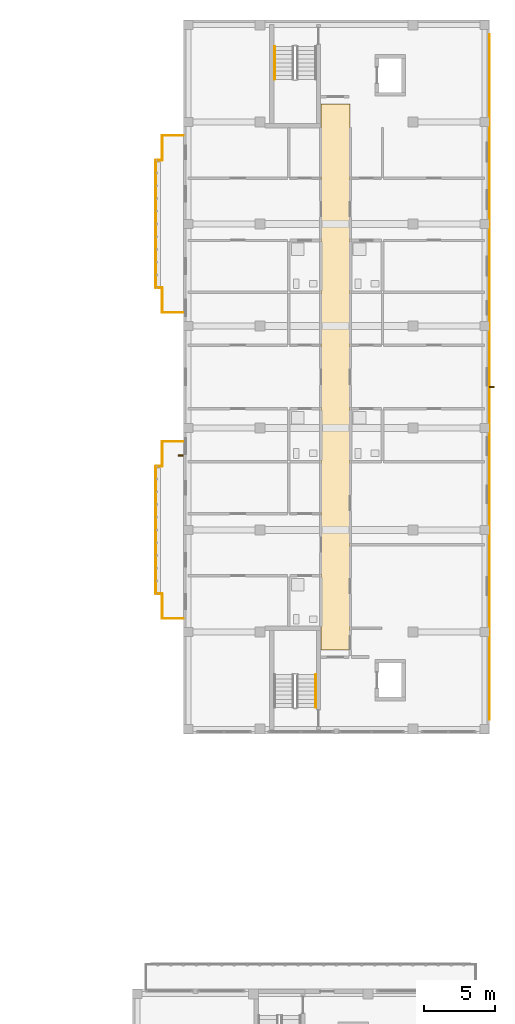
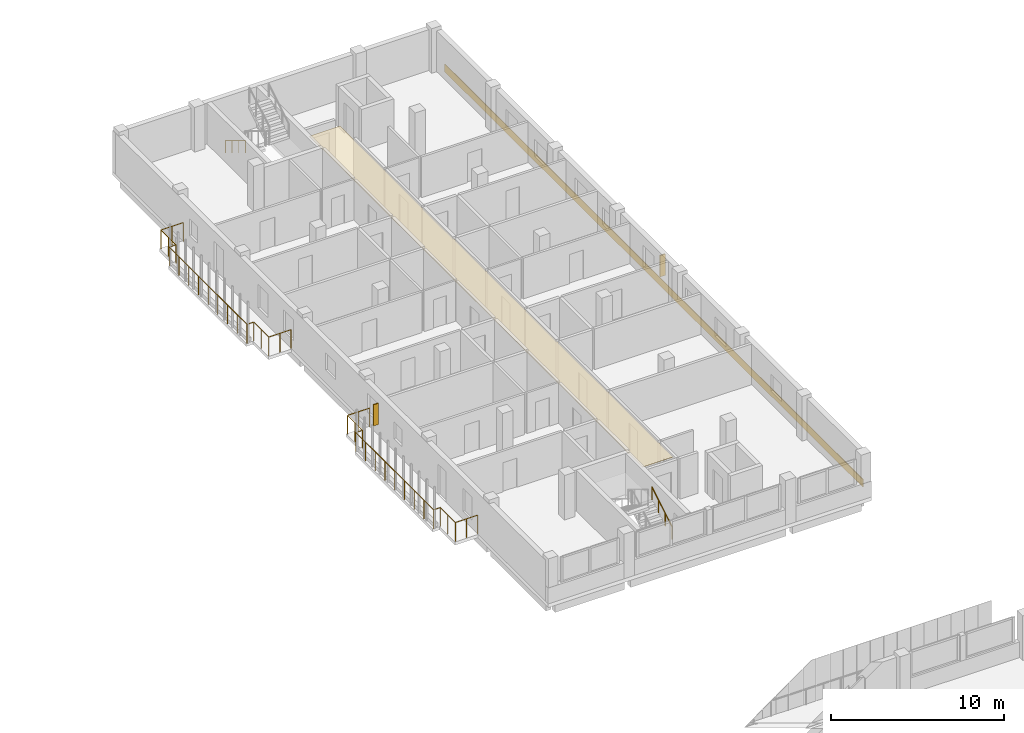
# One storey, part 53 of 56: 4 railings, 2 coverings, 2 shading devices.
"""IFC4 building model written with IfcOpenShell, lengths in metres."""

import ifcopenshell
import ifcopenshell.guid

model = None  # the IFC model being written
_history = None  # IfcOwnerHistory: only IFC2X3 demands one
_inside = {}  # id of a spatial element -> (the spatial element, [elements in it])
_under = {}  # id of a project, library or spatial element -> (it, [spatial elements below it])
_declared = {}  # id of a project -> (the project, [libraries it declares])
_typed = {}  # id of a type object -> (the type object, [elements of that type])
_made_of = {}  # id of a material, layer set ... -> (it, [elements and type objects made of it])


def new_model(schema):
    """Start an empty IFC model of exactly this schema.

    Asked for "IFC4X3", IfcOpenShell would pick the latest addendum, in which some entities
    have other attributes; the version numbers below select the first issue.
    IFC2X3 requires an IfcOwnerHistory on every rooted entity: one is made here for all.
    """
    global model, _history
    if schema == "IFC4X3":
        model = ifcopenshell.file(schema_version=(4, 3, 0, 0))
    else:
        model = ifcopenshell.file(schema=schema)
    _inside.clear()
    _under.clear()
    _declared.clear()
    _typed.clear()
    _made_of.clear()
    _history = None
    if model.schema == "IFC2X3":
        org = make("IfcOrganization", Name="unknown")
        user = make(
            "IfcPersonAndOrganization",
            ThePerson=make("IfcPerson", FamilyName="unknown"),
            TheOrganization=org,
        )
        app = make(
            "IfcApplication",
            ApplicationDeveloper=org,
            Version="unknown",
            ApplicationFullName="unknown",
            ApplicationIdentifier="unknown",
        )
        _history = make(
            "IfcOwnerHistory",
            OwningUser=user,
            OwningApplication=app,
            ChangeAction="ADDED",
            CreationDate=0,
        )
    return model


def make(cls, **values):
    """One entity of the class cls with the attributes given. An attribute that is None is left unset."""
    return model.create_entity(
        cls, **{name: value for name, value in values.items() if value is not None}
    )


def rooted(cls, **values):
    """An entity with a GlobalId (a new one), such as an element, a storey or a relation."""
    return make(cls, GlobalId=ifcopenshell.guid.new(), OwnerHistory=_history, **values)


def si_unit(unit_type, name, prefix=None):
    """IfcSIUnit, for example si_unit("LENGTHUNIT", "METRE", prefix="MILLI")."""
    return make("IfcSIUnit", UnitType=unit_type, Prefix=prefix, Name=name)


def derived_unit(unit_type, elements):
    """IfcDerivedUnit: a product of units, each with its exponent."""
    return make(
        "IfcDerivedUnit",
        Elements=[
            make("IfcDerivedUnitElement", Unit=unit, Exponent=power)
            for unit, power in elements
        ],
        UnitType=unit_type,
    )


def assignment(units):
    """IfcUnitAssignment: the units of a project."""
    return None if units is None else make("IfcUnitAssignment", Units=units)


def point(xyz):
    """IfcCartesianPoint."""
    return None if xyz is None else make("IfcCartesianPoint", Coordinates=xyz)


def direction(xyz):
    """IfcDirection."""
    return None if xyz is None else make("IfcDirection", DirectionRatios=xyz)


def frame(location, z_axis=None, x_axis=None):
    """IfcAxis2Placement3D, a coordinate frame: its origin and axes. An axis left out is left unset."""
    return make(
        "IfcAxis2Placement3D",
        Location=point(location),
        Axis=direction(z_axis),
        RefDirection=direction(x_axis),
    )


def frame_2d(location, x_axis=None):
    """IfcAxis2Placement2D, a coordinate frame in the plane: its origin and x axis."""
    return make(
        "IfcAxis2Placement2D", Location=point(location), RefDirection=direction(x_axis)
    )


def origin():
    """The frame at (0, 0, 0) with its axes left unset."""
    return frame((0.0, 0.0, 0.0))


def origin_2d():
    """The frame at (0, 0) in the plane with its x axis left unset."""
    return frame_2d((0.0, 0.0))


def place(relative_to, where):
    """IfcLocalPlacement: puts the frame where relative to a parent placement (None: the world)."""
    return make(
        "IfcLocalPlacement", PlacementRelTo=relative_to, RelativePlacement=where
    )


def context(
    kind, dimensions, precision=None, world=None, true_north=None, identifier=None
):
    """IfcGeometricRepresentationContext, for example the 3D "Model" context."""
    return make(
        "IfcGeometricRepresentationContext",
        ContextIdentifier=identifier,
        ContextType=kind,
        CoordinateSpaceDimension=dimensions,
        Precision=precision,
        WorldCoordinateSystem=world,
        TrueNorth=true_north,
    )


def subcontext(parent, identifier, kind, view, scale=None):
    """IfcGeometricRepresentationSubContext, for example "Body" below "Model"."""
    return make(
        "IfcGeometricRepresentationSubContext",
        ContextIdentifier=identifier,
        ContextType=kind,
        ParentContext=parent,
        TargetScale=scale,
        TargetView=view,
    )


def project(units=None, contexts=None):
    """IfcProject with its units and contexts."""
    return rooted(
        "IfcProject",
        Name="project",
        RepresentationContexts=contexts,
        UnitsInContext=assignment(units),
    )


def spatial(cls, under=None, at=None, **own):
    """A site, building, storey or space (cls), placed at a placement, below another one or the project."""
    s = rooted(cls, ObjectPlacement=at, **own)
    if under is not None:
        _under.setdefault(under.id(), (under, []))[1].append(s)
    return s


def polyline(points):
    """IfcPolyline through the points."""
    return make("IfcPolyline", Points=[point(p) for p in points])


def profile(cls, at=None, kind="AREA", **sizes):
    """A parametric profile (cls). Its sizes go by their IFC names, for example OverallWidth=200.0."""
    return make(cls, ProfileType=kind, Position=at, **sizes)


def rectangle(**sizes):
    """IfcRectangleProfileDef."""
    return profile("IfcRectangleProfileDef", **sizes)


def circle(**sizes):
    """IfcCircleProfileDef."""
    return profile("IfcCircleProfileDef", **sizes)


def outline(outer, holes=None, kind="AREA"):
    """IfcArbitraryClosedProfileDef: a profile drawn as a closed curve; with holes, ...WithVoids."""
    if holes is None:
        return make("IfcArbitraryClosedProfileDef", ProfileType=kind, OuterCurve=outer)
    return make(
        "IfcArbitraryProfileDefWithVoids",
        ProfileType=kind,
        OuterCurve=outer,
        InnerCurves=holes,
    )


def extrude(swept, where, along, depth):
    """IfcExtrudedAreaSolid: the profile swept, set in the frame where, extruded along a direction by depth."""
    return make(
        "IfcExtrudedAreaSolid",
        SweptArea=swept,
        Position=where,
        ExtrudedDirection=direction(along),
        Depth=depth,
    )


def shape(context_of_items, identifier, shape_type, items):
    """IfcShapeRepresentation: the items that make up one representation, for example the "Body"."""
    return make(
        "IfcShapeRepresentation",
        ContextOfItems=context_of_items,
        RepresentationIdentifier=identifier,
        RepresentationType=shape_type,
        Items=items,
    )


def material(Name=None, Category=None):
    """IfcMaterial."""
    return make("IfcMaterial", Name=Name, Category=Category)


def layer(
    of_material, thickness, ventilated=None, Name=None, Category=None, Priority=None
):
    """IfcMaterialLayer: one layer of a wall or slab, of a material (None: an air gap)."""
    return make(
        "IfcMaterialLayer",
        Material=of_material,
        LayerThickness=thickness,
        IsVentilated=ventilated,
        Name=Name,
        Category=Category,
        Priority=Priority,
    )


def layer_set(layers, Name=None):
    """IfcMaterialLayerSet."""
    return make("IfcMaterialLayerSet", MaterialLayers=layers, LayerSetName=Name)


def made_of(thing, what):
    """Note that an element or type object is made of a material, layer set ...; save() writes the relation."""
    if what is not None:
        _made_of.setdefault(what.id(), (what, []))[1].append(thing)
    return thing


def type_object(cls, material=None, **own):
    """A type object (cls), such as IfcWallType, which elements share."""
    return made_of(rooted(cls, **own), material)


def element(
    cls,
    number,
    at=None,
    inside=None,
    cuts=None,
    type_object=None,
    material=None,
    context=None,
    identifier="Body",
    shape_type=None,
    held_by="IfcProductDefinitionShape",
    body=None,
    shapes=None,
    **own,
):
    """One element of the class cls, such as IfcWall. Its Tag is "e" and its number.

    at: its placement. inside: the storey or other place that contains it. cuts: it is an
    opening in that element (IfcRelVoidsElement). A single representation is given by context,
    identifier, shape_type and body (its items); several are given by shapes. held_by: the class
    of the entity that holds the representations. save() writes the other relations.
    """
    e = rooted(cls, Tag="e%d" % number, ObjectPlacement=at, **own)
    if body is not None:
        shapes = [shape(context, identifier, shape_type, body)]
    if shapes is not None:
        e.Representation = make(held_by, Representations=shapes)
    if inside is not None:
        _inside.setdefault(inside.id(), (inside, []))[1].append(e)
    if cuts is not None:
        rooted(
            "IfcRelVoidsElement", RelatingBuildingElement=cuts, RelatedOpeningElement=e
        )
    if type_object is not None:
        _typed.setdefault(type_object.id(), (type_object, []))[1].append(e)
    return made_of(e, material)


def aggregate(whole, parts):
    """IfcRelAggregates: a whole, such as a stair, and the parts it consists of."""
    return rooted("IfcRelAggregates", RelatingObject=whole, RelatedObjects=parts)


def save(model, path):
    """Write the relations noted so far, then the file.

    IfcRelAggregates (storeys below a building ...), IfcRelContainedInSpatialStructure (elements
    in a storey), IfcRelDefinesByType, IfcRelAssociatesMaterial and IfcRelDeclares: one each for
    every whole, place, type object, material and project.
    """
    for whole, parts in _under.values():
        aggregate(whole, parts)
    for where, things in _inside.values():
        rooted(
            "IfcRelContainedInSpatialStructure",
            RelatedElements=things,
            RelatingStructure=where,
        )
    for kind, things in _typed.values():
        rooted("IfcRelDefinesByType", RelatedObjects=things, RelatingType=kind)
    for what, things in _made_of.values():
        rooted("IfcRelAssociatesMaterial", RelatedObjects=things, RelatingMaterial=what)
    for by, libraries in _declared.values():
        rooted("IfcRelDeclares", RelatingContext=by, RelatedDefinitions=libraries)
    model.write(path)


model = new_model("IFC4")

# Units and contexts
model_context = context("Model", 3, precision=1e-05, world=origin(), true_north=direction((0.0, 1.0)))
body_context = subcontext(model_context, "Body", "Model", "MODEL_VIEW")
ifc_project = project(units=[si_unit("LENGTHUNIT", "METRE"), si_unit("AREAUNIT", "SQUARE_METRE"), si_unit("VOLUMEUNIT", "CUBIC_METRE"), si_unit("PLANEANGLEUNIT", "RADIAN"), si_unit("MASSUNIT", "GRAM", prefix="KILO"), derived_unit("THERMALTRANSMITTANCEUNIT", [(si_unit("MASSUNIT", "GRAM", prefix="KILO"), 1), (si_unit("TIMEUNIT", "SECOND"), -3), (si_unit("THERMODYNAMICTEMPERATUREUNIT", "KELVIN"), -1)])], contexts=[model_context])

# Site, building, storey
site_placement = place(None, origin())
site = spatial("IfcSite", under=ifc_project, at=site_placement, CompositionType="ELEMENT")
building_placement = place(site_placement, origin())
building = spatial("IfcBuilding", under=site, at=building_placement, Name="Ochrekiln Boulevard Commons", CompositionType="ELEMENT")
storey_placement = place(building_placement, frame((0.0, 0.0, 12.074951171875)))
storey = spatial("IfcBuildingStorey", under=building, at=storey_placement, Name="L03", CompositionType="ELEMENT", Elevation=12.074951171875)

# Coverings
ifc_material_1 = material(Name="Mineral-fibre acoustic ceiling tile")
ifc_layer_1 = layer(ifc_material_1, 0.02490234375)
ifc_layer_set_1 = layer_set([ifc_layer_1], Name="Mineral-fibre acoustic ceiling tile")
covering_type_1 = type_object("IfcCoveringType", Name="COV-CEIL-AC", PredefinedType="CEILING", material=ifc_layer_set_1)
covering_1_placement = place(storey_placement, frame((0.0, 0.0, 2.650146484375)))
element("IfcCovering", 1, at=covering_1_placement, inside=storey, type_object=covering_type_1, Name="L03 Acoustic Corridor Ceiling 40", PredefinedType="CEILING", context=body_context, shape_type="SweptSolid", body=[
    extrude(outline(polyline([(160.919921875, 74.320068359375), (162.97998046875, 74.320068359375), (162.97998046875, 112.8798828125), (160.919921875, 112.8798828125), (160.919921875, 74.320068359375)])), origin(), (0.0, 0.0, 1.0), 0.02490234375),
])
ifc_material_2 = material(Name="Glazed architectural terracotta ASTM C1405", Category="masonry")
ifc_layer_2 = layer(ifc_material_2, 0.0400390625)
ifc_layer_set_2 = layer_set([ifc_layer_2], Name="Glazed architectural terracotta ASTM C1405")
covering_type_2 = type_object("IfcCoveringType", Name="COV-CLAD-TERRA", PredefinedType="CLADDING", material=ifc_layer_set_2)
covering_2_placement = place(storey_placement, frame((172.820068359375, 93.60009765625, 0.0751953125), z_axis=(0.0, 0.0, 1.0), x_axis=(1.0, 0.0, 0.0)))
element("IfcCovering", 2, at=covering_2_placement, inside=storey, type_object=covering_type_2, Name="Block B L03 Glazed Terracotta Spandrel Band", PredefinedType="CLADDING", context=body_context, shape_type="SweptSolid", body=[
    extrude(rectangle(XDim=0.0400390625, YDim=48.39990234375, at=origin_2d()), origin(), (0.0, 0.0, 1.0), 0.550048828125),
])

# Railings
ifc_material_3 = material(Name="Bronze-anodized extruded aluminium 6063-T6", Category="aluminium")
railing_type_1 = type_object("IfcRailingType", Name="RLG-BAL-1350", PredefinedType="BALUSTRADE", material=ifc_material_3)
railing_1_placement = place(storey_placement, frame((151.199951171875, 76.56005859375, 0.0)))
element("IfcRailing", 3, at=railing_1_placement, inside=storey, type_object=railing_type_1, Name="Block B L03 Balcony Guard Balustrade 1", PredefinedType="BALUSTRADE", context=body_context, shape_type="SweptSolid", body=[
    extrude(circle(Radius=0.02392578125, at=origin_2d()), frame((0.0, 0.0, 1.326171875), z_axis=(-1.0, 0.0, 0.0), x_axis=(0.0, -1.0, 0.0)), (0.0, 0.0, 1.0), 1.489990234375),
    extrude(circle(Radius=0.02392578125, at=origin_2d()), frame((-1.489990234375, 0.0, 1.326171875), z_axis=(0.0, 1.0, 0.0), x_axis=(-1.0, 0.0, 0.0)), (0.0, 0.0, 1.0), 1.739990234375),
    extrude(circle(Radius=0.02392578125, at=origin_2d()), frame((-1.489990234375, 1.739990234375, 1.326171875), z_axis=(-1.0, 0.0, 0.0), x_axis=(0.0, -1.0, 0.0)), (0.0, 0.0, 1.0), 0.449951171875),
    extrude(circle(Radius=0.02392578125, at=origin_2d()), frame((-1.93994140625, 1.739990234375, 1.326171875), z_axis=(0.0, 1.0, 0.0), x_axis=(-1.0, 0.0, 0.0)), (0.0, 0.0, 1.0), 9.0),
    extrude(circle(Radius=0.02392578125, at=origin_2d()), frame((-1.93994140625, 10.739990234375, 1.326171875), z_axis=(1.0, 0.0, 0.0), x_axis=(0.0, 1.0, 0.0)), (0.0, 0.0, 1.0), 0.449951171875),
    extrude(circle(Radius=0.02392578125, at=origin_2d()), frame((-1.489990234375, 10.739990234375, 1.326171875), z_axis=(0.0, 1.0, 0.0), x_axis=(-1.0, 0.0, 0.0)), (0.0, 0.0, 1.0), 1.739990234375),
    extrude(circle(Radius=0.02392578125, at=origin_2d()), frame((-1.489990234375, 12.47998046875, 1.326171875), z_axis=(1.0, 0.0, 0.0), x_axis=(0.0, 1.0, 0.0)), (0.0, 0.0, 1.0), 1.489990234375),
    extrude(circle(Radius=0.02099609375, at=origin_2d()), origin(), (0.0, 0.0, 1.0), 1.302001953125),
    extrude(circle(Radius=0.02099609375, at=origin_2d()), frame((-0.7451171875, 0.0, 0.0)), (0.0, 0.0, 1.0), 1.302001953125),
    extrude(circle(Radius=0.02099609375, at=origin_2d()), frame((-1.489990234375, 0.0, 0.0)), (0.0, 0.0, 1.0), 1.302001953125),
    extrude(circle(Radius=0.02099609375, at=origin_2d()), frame((-1.489990234375, 0.8701171875, 0.0)), (0.0, 0.0, 1.0), 1.302001953125),
    extrude(circle(Radius=0.02099609375, at=origin_2d()), frame((-1.489990234375, 1.739990234375, 0.0)), (0.0, 0.0, 1.0), 1.302001953125),
    extrude(circle(Radius=0.02099609375, at=origin_2d()), frame((-1.93994140625, 1.739990234375, 0.0)), (0.0, 0.0, 1.0), 1.302001953125),
    extrude(circle(Radius=0.02099609375, at=origin_2d()), frame((-1.93994140625, 2.864990234375, 0.0)), (0.0, 0.0, 1.0), 1.302001953125),
    extrude(circle(Radius=0.02099609375, at=origin_2d()), frame((-1.93994140625, 3.989990234375, 0.0)), (0.0, 0.0, 1.0), 1.302001953125),
    extrude(circle(Radius=0.02099609375, at=origin_2d()), frame((-1.93994140625, 5.114990234375, 0.0)), (0.0, 0.0, 1.0), 1.302001953125),
    extrude(circle(Radius=0.02099609375, at=origin_2d()), frame((-1.93994140625, 6.239990234375, 0.0)), (0.0, 0.0, 1.0), 1.302001953125),
    extrude(circle(Radius=0.02099609375, at=origin_2d()), frame((-1.93994140625, 7.364990234375, 0.0)), (0.0, 0.0, 1.0), 1.302001953125),
    extrude(circle(Radius=0.02099609375, at=origin_2d()), frame((-1.93994140625, 8.489990234375, 0.0)), (0.0, 0.0, 1.0), 1.302001953125),
    extrude(circle(Radius=0.02099609375, at=origin_2d()), frame((-1.93994140625, 9.614990234375, 0.0)), (0.0, 0.0, 1.0), 1.302001953125),
    extrude(circle(Radius=0.02099609375, at=origin_2d()), frame((-1.93994140625, 10.739990234375, 0.0)), (0.0, 0.0, 1.0), 1.302001953125),
    extrude(circle(Radius=0.02099609375, at=origin_2d()), frame((-1.489990234375, 10.739990234375, 0.0)), (0.0, 0.0, 1.0), 1.302001953125),
    extrude(circle(Radius=0.02099609375, at=origin_2d()), frame((-1.489990234375, 11.60986328125, 0.0)), (0.0, 0.0, 1.0), 1.302001953125),
    extrude(circle(Radius=0.02099609375, at=origin_2d()), frame((-1.489990234375, 12.47998046875, 0.0)), (0.0, 0.0, 1.0), 1.302001953125),
    extrude(circle(Radius=0.02099609375, at=origin_2d()), frame((-0.7451171875, 12.47998046875, 0.0)), (0.0, 0.0, 1.0), 1.302001953125),
    extrude(circle(Radius=0.02099609375, at=origin_2d()), frame((0.0, 12.47998046875, 0.0)), (0.0, 0.0, 1.0), 1.302001953125),
])
railing_2_placement = place(storey_placement, frame((151.199951171875, 98.159912109375, 0.0)))
element("IfcRailing", 4, at=railing_2_placement, inside=storey, type_object=railing_type_1, Name="Block B L03 Balcony Guard Balustrade 2", PredefinedType="BALUSTRADE", context=body_context, shape_type="SweptSolid", body=[
    extrude(circle(Radius=0.02392578125, at=origin_2d()), frame((0.0, 0.0, 1.326171875), z_axis=(-1.0, 0.0, 0.0), x_axis=(0.0, -1.0, 0.0)), (0.0, 0.0, 1.0), 1.489990234375),
    extrude(circle(Radius=0.02392578125, at=origin_2d()), frame((-1.489990234375, 0.0, 1.326171875), z_axis=(0.0, 1.0, 0.0), x_axis=(-1.0, 0.0, 0.0)), (0.0, 0.0, 1.0), 1.739990234375),
    extrude(circle(Radius=0.02392578125, at=origin_2d()), frame((-1.489990234375, 1.739990234375, 1.326171875), z_axis=(-1.0, 0.0, 0.0), x_axis=(0.0, -1.0, 0.0)), (0.0, 0.0, 1.0), 0.449951171875),
    extrude(circle(Radius=0.02392578125, at=origin_2d()), frame((-1.93994140625, 1.739990234375, 1.326171875), z_axis=(0.0, 1.0, 0.0), x_axis=(-1.0, 0.0, 0.0)), (0.0, 0.0, 1.0), 9.0),
    extrude(circle(Radius=0.02392578125, at=origin_2d()), frame((-1.93994140625, 10.739990234375, 1.326171875), z_axis=(1.0, 0.0, 0.0), x_axis=(0.0, 1.0, 0.0)), (0.0, 0.0, 1.0), 0.449951171875),
    extrude(circle(Radius=0.02392578125, at=origin_2d()), frame((-1.489990234375, 10.739990234375, 1.326171875), z_axis=(0.0, 1.0, 0.0), x_axis=(-1.0, 0.0, 0.0)), (0.0, 0.0, 1.0), 1.739990234375),
    extrude(circle(Radius=0.02392578125, at=origin_2d()), frame((-1.489990234375, 12.47998046875, 1.326171875), z_axis=(1.0, 0.0, 0.0), x_axis=(0.0, 1.0, 0.0)), (0.0, 0.0, 1.0), 1.489990234375),
    extrude(circle(Radius=0.02099609375, at=origin_2d()), origin(), (0.0, 0.0, 1.0), 1.302001953125),
    extrude(circle(Radius=0.02099609375, at=origin_2d()), frame((-0.7451171875, 0.0, 0.0)), (0.0, 0.0, 1.0), 1.302001953125),
    extrude(circle(Radius=0.02099609375, at=origin_2d()), frame((-1.489990234375, 0.0, 0.0)), (0.0, 0.0, 1.0), 1.302001953125),
    extrude(circle(Radius=0.02099609375, at=origin_2d()), frame((-1.489990234375, 0.8701171875, 0.0)), (0.0, 0.0, 1.0), 1.302001953125),
    extrude(circle(Radius=0.02099609375, at=origin_2d()), frame((-1.489990234375, 1.739990234375, 0.0)), (0.0, 0.0, 1.0), 1.302001953125),
    extrude(circle(Radius=0.02099609375, at=origin_2d()), frame((-1.93994140625, 1.739990234375, 0.0)), (0.0, 0.0, 1.0), 1.302001953125),
    extrude(circle(Radius=0.02099609375, at=origin_2d()), frame((-1.93994140625, 2.864990234375, 0.0)), (0.0, 0.0, 1.0), 1.302001953125),
    extrude(circle(Radius=0.02099609375, at=origin_2d()), frame((-1.93994140625, 3.989990234375, 0.0)), (0.0, 0.0, 1.0), 1.302001953125),
    extrude(circle(Radius=0.02099609375, at=origin_2d()), frame((-1.93994140625, 5.114990234375, 0.0)), (0.0, 0.0, 1.0), 1.302001953125),
    extrude(circle(Radius=0.02099609375, at=origin_2d()), frame((-1.93994140625, 6.239990234375, 0.0)), (0.0, 0.0, 1.0), 1.302001953125),
    extrude(circle(Radius=0.02099609375, at=origin_2d()), frame((-1.93994140625, 7.364990234375, 0.0)), (0.0, 0.0, 1.0), 1.302001953125),
    extrude(circle(Radius=0.02099609375, at=origin_2d()), frame((-1.93994140625, 8.489990234375, 0.0)), (0.0, 0.0, 1.0), 1.302001953125),
    extrude(circle(Radius=0.02099609375, at=origin_2d()), frame((-1.93994140625, 9.614990234375, 0.0)), (0.0, 0.0, 1.0), 1.302001953125),
    extrude(circle(Radius=0.02099609375, at=origin_2d()), frame((-1.93994140625, 10.739990234375, 0.0)), (0.0, 0.0, 1.0), 1.302001953125),
    extrude(circle(Radius=0.02099609375, at=origin_2d()), frame((-1.489990234375, 10.739990234375, 0.0)), (0.0, 0.0, 1.0), 1.302001953125),
    extrude(circle(Radius=0.02099609375, at=origin_2d()), frame((-1.489990234375, 11.60986328125, 0.0)), (0.0, 0.0, 1.0), 1.302001953125),
    extrude(circle(Radius=0.02099609375, at=origin_2d()), frame((-1.489990234375, 12.47998046875, 0.0)), (0.0, 0.0, 1.0), 1.302001953125),
    extrude(circle(Radius=0.02099609375, at=origin_2d()), frame((-0.7451171875, 12.47998046875, 0.0)), (0.0, 0.0, 1.0), 1.302001953125),
    extrude(circle(Radius=0.02099609375, at=origin_2d()), frame((0.0, 12.47998046875, 0.0)), (0.0, 0.0, 1.0), 1.302001953125),
])
ifc_material_4 = material(Name="Brushed stainless steel 316 tubular railing", Category="steel")
railing_type_2 = type_object("IfcRailingType", Name="RLG-HDR-900", PredefinedType="HANDRAIL", material=ifc_material_4)
railing_3_placement = place(storey_placement, frame((160.550048828125, 70.27001953125, 0.175048828125)))
element("IfcRailing", 5, at=railing_3_placement, inside=storey, type_object=railing_type_2, Name="L03 ST-B1 stair handrail 1", PredefinedType="HANDRAIL", context=body_context, shape_type="SweptSolid", body=[
    extrude(circle(Radius=0.02392578125, at=origin_2d()), frame((0.0, 0.0, 0.8759765625), z_axis=(0.0, 0.85621033714, 0.516627388526), x_axis=(-1.0, 0.0, 0.0)), (0.0, 0.0, 1.0), 2.709716796875),
    extrude(circle(Radius=0.02099609375, at=origin_2d()), origin(), (0.0, 0.0, 1.0), 0.851806640625),
    extrude(circle(Radius=0.02099609375, at=origin_2d()), frame((0.0, 0.7734375, 0.466552734375)), (0.0, 0.0, 1.0), 0.851806640625),
    extrude(circle(Radius=0.02099609375, at=origin_2d()), frame((0.0, 1.546630859375, 0.933349609375)), (0.0, 0.0, 1.0), 0.851806640625),
    extrude(circle(Radius=0.02099609375, at=origin_2d()), frame((0.0, 2.320068359375, 1.39990234375)), (0.0, 0.0, 1.0), 0.851806640625),
])
railing_4_placement = place(storey_placement, frame((157.64990234375, 116.929931640625, 0.175048828125)))
element("IfcRailing", 6, at=railing_4_placement, inside=storey, type_object=railing_type_2, Name="L03 ST-B2 stair handrail 1", PredefinedType="HANDRAIL", context=body_context, shape_type="SweptSolid", body=[
    extrude(circle(Radius=0.02392578125, at=origin_2d()), frame((0.0, 0.0, 0.8759765625), z_axis=(0.0, -0.856186286599, 0.516667245565), x_axis=(1.0, 0.0, 0.0)), (0.0, 0.0, 1.0), 2.70947265625),
    extrude(circle(Radius=0.02099609375, at=origin_2d()), origin(), (0.0, 0.0, 1.0), 0.851806640625),
    extrude(circle(Radius=0.02099609375, at=origin_2d()), frame((0.0, -0.773193359375, 0.466552734375)), (0.0, 0.0, 1.0), 0.851806640625),
    extrude(circle(Radius=0.02099609375, at=origin_2d()), frame((0.0, -1.546630859375, 0.933349609375)), (0.0, 0.0, 1.0), 0.851806640625),
    extrude(circle(Radius=0.02099609375, at=origin_2d()), frame((0.0, -2.31982421875, 1.39990234375)), (0.0, 0.0, 1.0), 0.851806640625),
])

# Shading devices
shading_device_type = type_object("IfcShadingDeviceType", Name="SHD-FIN-TERRA", PredefinedType="JALOUSIE", material=ifc_material_2)
for number, where, z_axis, x_axis, name in (
    (7, (151.030029296875, 88.06298828125, 0.780029296875), (0.0, 0.0, 1.0), (1.0, 0.0, 0.0), "Terracotta Solar Shading Fin SF-01 (32)"),
    (8, (172.969970703125, 92.89501953125, 0.705078125), (0.0, 0.0, 1.0), (1.0, 0.0, 0.0), "Terracotta Solar Shading Fin SF-01 (33)"),
):
    element("IfcShadingDevice", number, at=place(storey_placement, frame(where, z_axis=z_axis, x_axis=x_axis)), inside=storey, type_object=shading_device_type, Name=name, PredefinedType="JALOUSIE", context=body_context, shape_type="SweptSolid", body=[
        extrude(rectangle(XDim=0.35009765625, YDim=0.080078125, at=origin_2d()), origin(), (0.0, 0.0, 1.0), 1.5),
    ])

save(model, "model.ifc")
